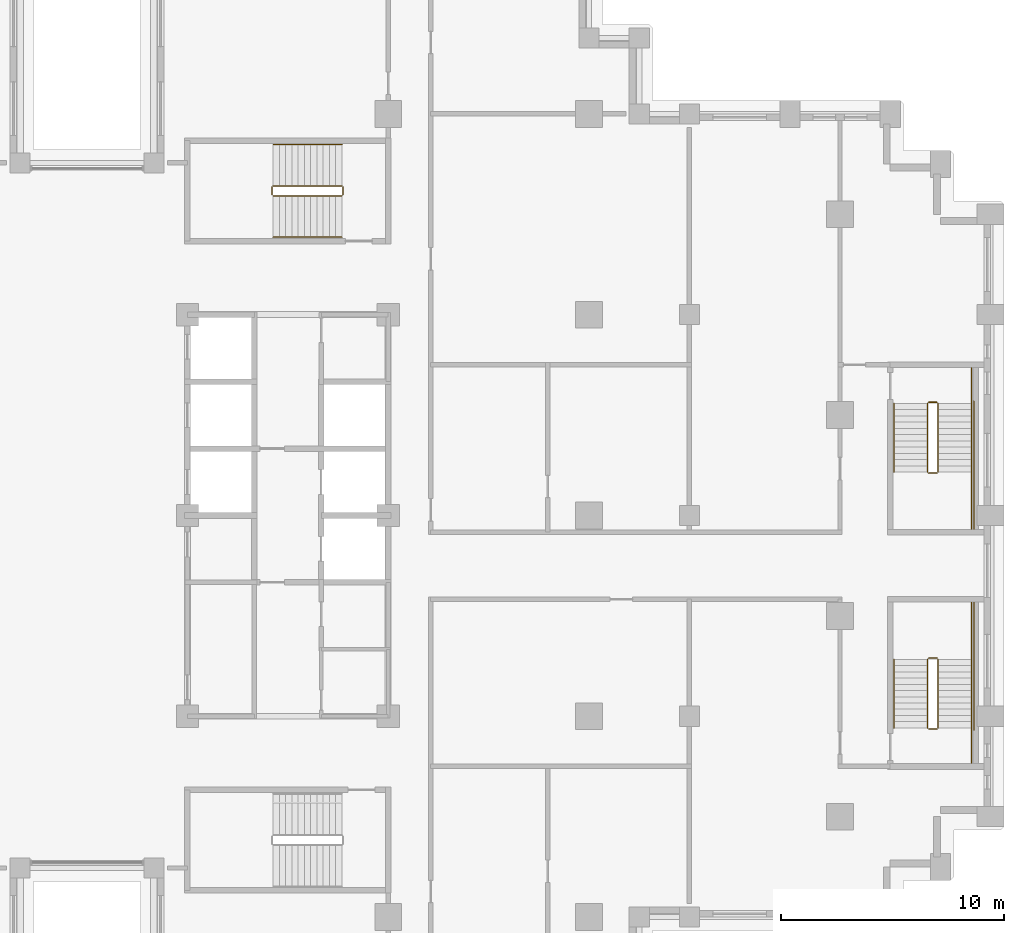
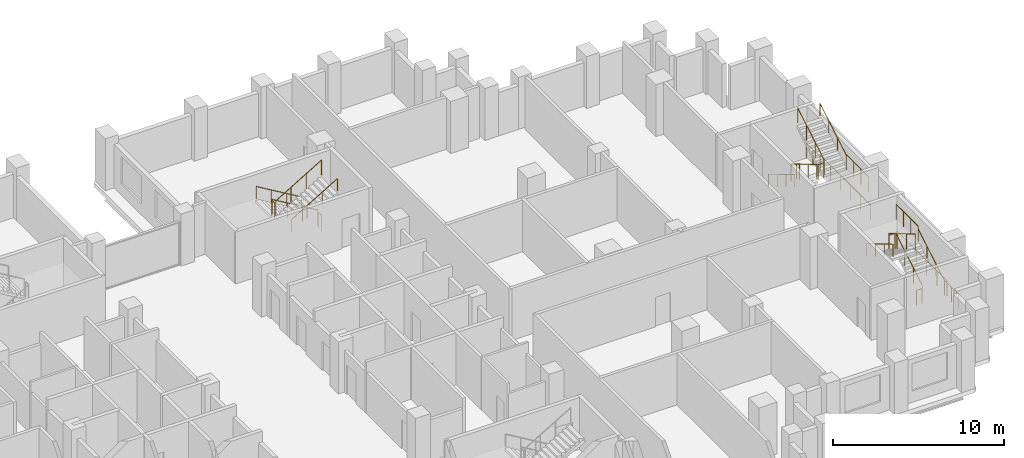
# One storey, part 16 of 16: 3 railings.
"""IFC4 building model written with IfcOpenShell, lengths in metres."""

from ifc_helpers import new_model, si_unit, direction, frame, origin, origin_2d, place, context, subcontext, project, spatial, circle, extrude, material, type_object, element, save


model = new_model("IFC4")

# Units and contexts
model_context = context("Model", 3, precision=1e-05, world=origin(), true_north=direction((0.0, 1.0)))
body_context = subcontext(model_context, "Body", "Model", "MODEL_VIEW")
ifc_project = project(units=[si_unit("LENGTHUNIT", "METRE"), si_unit("AREAUNIT", "SQUARE_METRE"), si_unit("VOLUMEUNIT", "CUBIC_METRE"), si_unit("PLANEANGLEUNIT", "RADIAN"), si_unit("MASSUNIT", "GRAM", prefix="KILO")], contexts=[model_context])

# Site, building, storey
site_placement = place(None, origin())
site = spatial("IfcSite", under=ifc_project, at=site_placement, CompositionType="ELEMENT")
building_placement = place(site_placement, origin())
building = spatial("IfcBuilding", under=site, at=building_placement, Name="Corbelhall Arena Tower", CompositionType="ELEMENT")
storey_placement = place(building_placement, frame((0.0, 0.0, 72.0)))
storey = spatial("IfcBuildingStorey", under=building, at=storey_placement, Name="L10", CompositionType="ELEMENT", Elevation=72.0)

# Railings
ifc_material = material(Name="Steel ASTM A500 Gr C", Category="steel")
railing_type = type_object("IfcRailingType", Name="IN-GD-1100", PredefinedType="GUARDRAIL", material=ifc_material)
railing_1_placement = place(storey_placement, frame((11.425048828125, 14.77490234375, 0.166748046875)))
element("IfcRailing", 1, at=railing_1_placement, inside=storey, type_object=railing_type, Name="L10 ST3 stair guards and handrails", PredefinedType="GUARDRAIL", context=body_context, shape_type="SweptSolid", body=[
    extrude(circle(Radius=0.02392578125, at=origin_2d()), frame((0.0, 0.0, 1.076171875), z_axis=(-0.859308565015, 0.0, 0.511457515432), x_axis=(0.0, -1.0, 0.0)), (0.0, 0.0, 1.0), 3.58447265625),
    extrude(circle(Radius=0.02392578125, at=origin_2d()), frame((-3.130126953125, -0.0498046875, 2.9091796875), z_axis=(0.0, -1.0, 0.0), x_axis=(1.0, 0.0, 0.0)), (0.0, 0.0, 1.0), 0.35009765625),
    extrude(circle(Radius=0.02392578125, at=origin_2d()), frame((-3.080078125, -0.449951171875, 3.076171875), z_axis=(0.859308565015, 0.0, 0.511457515432), x_axis=(0.0, 1.0, 0.0)), (0.0, 0.0, 1.0), 3.58447265625),
    extrude(circle(Radius=0.02392578125, at=origin_2d()), frame((0.050048828125, -0.0498046875, 0.9091796875), z_axis=(0.0, -1.0, 0.0), x_axis=(1.0, 0.0, 0.0)), (0.0, 0.0, 1.0), 0.35009765625),
    extrude(circle(Radius=0.02392578125, at=origin_2d()), frame((0.0, 1.85009765625, 0.8759765625), z_axis=(-0.859308565015, 0.0, 0.511457515432), x_axis=(0.0, -1.0, 0.0)), (0.0, 0.0, 1.0), 3.58447265625),
    extrude(circle(Radius=0.02392578125, at=origin_2d()), frame((-3.080078125, -2.2998046875, 2.8759765625), z_axis=(0.859308565015, 0.0, 0.511457515432), x_axis=(0.0, 1.0, 0.0)), (0.0, 0.0, 1.0), 3.58447265625),
    extrude(circle(Radius=0.02099609375, at=origin_2d()), origin(), (0.0, 0.0, 1.0), 1.052001953125),
    extrude(circle(Radius=0.02099609375, at=origin_2d()), frame((-1.026611328125, 0.0, 0.611083984375)), (0.0, 0.0, 1.0), 1.052001953125),
    extrude(circle(Radius=0.02099609375, at=origin_2d()), frame((-2.053466796875, 0.0, 1.22216796875)), (0.0, 0.0, 1.0), 1.052001953125),
    extrude(circle(Radius=0.02099609375, at=origin_2d()), frame((-3.080078125, 0.0, 1.833251953125)), (0.0, 0.0, 1.0), 1.052001953125),
    extrude(circle(Radius=0.02099609375, at=origin_2d()), frame((-3.130126953125, -0.0498046875, 1.833251953125)), (0.0, 0.0, 1.0), 1.052001953125),
    extrude(circle(Radius=0.02099609375, at=origin_2d()), frame((-3.130126953125, -0.39990234375, 1.833251953125)), (0.0, 0.0, 1.0), 1.052001953125),
    extrude(circle(Radius=0.02099609375, at=origin_2d()), frame((-3.080078125, -0.449951171875, 2.0)), (0.0, 0.0, 1.0), 1.052001953125),
    extrude(circle(Radius=0.02099609375, at=origin_2d()), frame((-2.053466796875, -0.449951171875, 2.611083984375)), (0.0, 0.0, 1.0), 1.052001953125),
    extrude(circle(Radius=0.02099609375, at=origin_2d()), frame((-1.026611328125, -0.449951171875, 3.22216796875)), (0.0, 0.0, 1.0), 1.052001953125),
    extrude(circle(Radius=0.02099609375, at=origin_2d()), frame((0.0, -0.449951171875, 3.833251953125)), (0.0, 0.0, 1.0), 1.052001953125),
    extrude(circle(Radius=0.02099609375, at=origin_2d()), frame((0.050048828125, -0.0498046875, -0.166748046875)), (0.0, 0.0, 1.0), 1.052001953125),
    extrude(circle(Radius=0.02099609375, at=origin_2d()), frame((0.050048828125, -0.39990234375, -0.166748046875)), (0.0, 0.0, 1.0), 1.052001953125),
    extrude(circle(Radius=0.02099609375, at=origin_2d()), frame((0.0, 1.85009765625, 0.0)), (0.0, 0.0, 1.0), 0.851806640625),
    extrude(circle(Radius=0.02099609375, at=origin_2d()), frame((-1.026611328125, 1.85009765625, 0.611083984375)), (0.0, 0.0, 1.0), 0.851806640625),
    extrude(circle(Radius=0.02099609375, at=origin_2d()), frame((-2.053466796875, 1.85009765625, 1.22216796875)), (0.0, 0.0, 1.0), 0.851806640625),
    extrude(circle(Radius=0.02099609375, at=origin_2d()), frame((-3.080078125, 1.85009765625, 1.833251953125)), (0.0, 0.0, 1.0), 0.851806640625),
    extrude(circle(Radius=0.02099609375, at=origin_2d()), frame((-3.080078125, -2.2998046875, 2.0)), (0.0, 0.0, 1.0), 0.851806640625),
    extrude(circle(Radius=0.02099609375, at=origin_2d()), frame((-2.053466796875, -2.2998046875, 2.611083984375)), (0.0, 0.0, 1.0), 0.851806640625),
    extrude(circle(Radius=0.02099609375, at=origin_2d()), frame((-1.026611328125, -2.2998046875, 3.22216796875)), (0.0, 0.0, 1.0), 0.851806640625),
    extrude(circle(Radius=0.02099609375, at=origin_2d()), frame((0.0, -2.2998046875, 3.833251953125)), (0.0, 0.0, 1.0), 0.851806640625),
])
railing_2_placement = place(storey_placement, frame((38.14990234375, -9.52490234375, 0.166748046875)))
element("IfcRailing", 2, at=railing_2_placement, inside=storey, type_object=railing_type, Name="L10 SD1 stair guards and handrails", PredefinedType="GUARDRAIL", context=body_context, shape_type="SweptSolid", body=[
    extrude(circle(Radius=0.02392578125, at=origin_2d()), frame((0.0, 0.0, 1.076171875), z_axis=(0.0, 0.859290745958, 0.51148745235), x_axis=(-1.0, 0.0, 0.0)), (0.0, 0.0, 1.0), 3.584228515625),
    extrude(circle(Radius=0.02392578125, at=origin_2d()), frame((-0.0498046875, 3.1298828125, 2.9091796875), z_axis=(-1.0, 0.0, 0.0), x_axis=(0.0, -1.0, 0.0)), (0.0, 0.0, 1.0), 0.375),
    extrude(circle(Radius=0.02392578125, at=origin_2d()), frame((1.5, 3.079833984375, 2.9091796875), z_axis=(0.0, 1.0, 0.0), x_axis=(-1.0, 0.0, 0.0)), (0.0, 0.0, 1.0), 2.570068359375),
    extrude(circle(Radius=0.02392578125, at=origin_2d()), frame((-0.474853515625, 3.079833984375, 3.076171875), z_axis=(0.0, -0.859290745958, 0.51148745235), x_axis=(1.0, 0.0, 0.0)), (0.0, 0.0, 1.0), 3.584228515625),
    extrude(circle(Radius=0.02392578125, at=origin_2d()), frame((-0.0498046875, -0.050048828125, 0.9091796875), z_axis=(-1.0, 0.0, 0.0), x_axis=(0.0, -1.0, 0.0)), (0.0, 0.0, 1.0), 0.375),
    extrude(circle(Radius=0.02392578125, at=origin_2d()), frame((1.5, -1.60009765625, 0.9091796875), z_axis=(0.0, 1.0, 0.0), x_axis=(-1.0, 0.0, 0.0)), (0.0, 0.0, 1.0), 1.60009765625),
    extrude(circle(Radius=0.02392578125, at=origin_2d()), frame((1.60009765625, -0.10009765625, 0.9091796875), z_axis=(0.0, 1.0, 0.0), x_axis=(-1.0, 0.0, 0.0)), (0.0, 0.0, 1.0), 5.85009765625),
    extrude(circle(Radius=0.02392578125, at=origin_2d()), frame((1.5, 0.0, 0.8759765625), z_axis=(0.0, 0.859290745958, 0.51148745235), x_axis=(-1.0, 0.0, 0.0)), (0.0, 0.0, 1.0), 3.584228515625),
    extrude(circle(Radius=0.02392578125, at=origin_2d()), frame((-1.974853515625, 3.079833984375, 2.8759765625), z_axis=(0.0, -0.859290745958, 0.51148745235), x_axis=(1.0, 0.0, 0.0)), (0.0, 0.0, 1.0), 3.584228515625),
    extrude(circle(Radius=0.02099609375, at=origin_2d()), origin(), (0.0, 0.0, 1.0), 1.052001953125),
    extrude(circle(Radius=0.02099609375, at=origin_2d()), frame((0.0, 1.026611328125, 0.611083984375)), (0.0, 0.0, 1.0), 1.052001953125),
    extrude(circle(Radius=0.02099609375, at=origin_2d()), frame((0.0, 2.05322265625, 1.22216796875)), (0.0, 0.0, 1.0), 1.052001953125),
    extrude(circle(Radius=0.02099609375, at=origin_2d()), frame((0.0, 3.079833984375, 1.833251953125)), (0.0, 0.0, 1.0), 1.052001953125),
    extrude(circle(Radius=0.02099609375, at=origin_2d()), frame((-0.0498046875, 3.1298828125, 1.833251953125)), (0.0, 0.0, 1.0), 1.052001953125),
    extrude(circle(Radius=0.02099609375, at=origin_2d()), frame((-0.4248046875, 3.1298828125, 1.833251953125)), (0.0, 0.0, 1.0), 1.052001953125),
    extrude(circle(Radius=0.02099609375, at=origin_2d()), frame((1.5, 3.079833984375, 1.833251953125)), (0.0, 0.0, 1.0), 1.052001953125),
    extrude(circle(Radius=0.02099609375, at=origin_2d()), frame((1.5, 3.9365234375, 1.833251953125)), (0.0, 0.0, 1.0), 1.052001953125),
    extrude(circle(Radius=0.02099609375, at=origin_2d()), frame((1.5, 4.793212890625, 1.833251953125)), (0.0, 0.0, 1.0), 1.052001953125),
    extrude(circle(Radius=0.02099609375, at=origin_2d()), frame((1.5, 5.64990234375, 1.833251953125)), (0.0, 0.0, 1.0), 1.052001953125),
    extrude(circle(Radius=0.02099609375, at=origin_2d()), frame((-0.474853515625, 3.079833984375, 2.0)), (0.0, 0.0, 1.0), 1.052001953125),
    extrude(circle(Radius=0.02099609375, at=origin_2d()), frame((-0.474853515625, 2.05322265625, 2.611083984375)), (0.0, 0.0, 1.0), 1.052001953125),
    extrude(circle(Radius=0.02099609375, at=origin_2d()), frame((-0.474853515625, 1.026611328125, 3.22216796875)), (0.0, 0.0, 1.0), 1.052001953125),
    extrude(circle(Radius=0.02099609375, at=origin_2d()), frame((-0.474853515625, 0.0, 3.833251953125)), (0.0, 0.0, 1.0), 1.052001953125),
    extrude(circle(Radius=0.02099609375, at=origin_2d()), frame((-0.0498046875, -0.050048828125, -0.166748046875)), (0.0, 0.0, 1.0), 1.052001953125),
    extrude(circle(Radius=0.02099609375, at=origin_2d()), frame((-0.4248046875, -0.050048828125, -0.166748046875)), (0.0, 0.0, 1.0), 1.052001953125),
    extrude(circle(Radius=0.02099609375, at=origin_2d()), frame((1.5, -1.60009765625, -0.166748046875)), (0.0, 0.0, 1.0), 1.052001953125),
    extrude(circle(Radius=0.02099609375, at=origin_2d()), frame((1.5, -0.800048828125, -0.166748046875)), (0.0, 0.0, 1.0), 1.052001953125),
    extrude(circle(Radius=0.02099609375, at=origin_2d()), frame((1.5, 0.0, -0.166748046875)), (0.0, 0.0, 1.0), 1.052001953125),
    extrude(circle(Radius=0.02099609375, at=origin_2d()), frame((1.60009765625, -0.10009765625, -0.166748046875)), (0.0, 0.0, 1.0), 1.052001953125),
    extrude(circle(Radius=0.02099609375, at=origin_2d()), frame((1.60009765625, 1.06982421875, -0.166748046875)), (0.0, 0.0, 1.0), 1.052001953125),
    extrude(circle(Radius=0.02099609375, at=origin_2d()), frame((1.60009765625, 2.239990234375, -0.166748046875)), (0.0, 0.0, 1.0), 1.052001953125),
    extrude(circle(Radius=0.02099609375, at=origin_2d()), frame((1.60009765625, 3.409912109375, -0.166748046875)), (0.0, 0.0, 1.0), 1.052001953125),
    extrude(circle(Radius=0.02099609375, at=origin_2d()), frame((1.60009765625, 4.580078125, -0.166748046875)), (0.0, 0.0, 1.0), 1.052001953125),
    extrude(circle(Radius=0.02099609375, at=origin_2d()), frame((1.60009765625, 5.75, -0.166748046875)), (0.0, 0.0, 1.0), 1.052001953125),
    extrude(circle(Radius=0.02099609375, at=origin_2d()), frame((1.5, 0.0, 0.0)), (0.0, 0.0, 1.0), 0.851806640625),
    extrude(circle(Radius=0.02099609375, at=origin_2d()), frame((1.5, 1.026611328125, 0.611083984375)), (0.0, 0.0, 1.0), 0.851806640625),
    extrude(circle(Radius=0.02099609375, at=origin_2d()), frame((1.5, 2.05322265625, 1.22216796875)), (0.0, 0.0, 1.0), 0.851806640625),
    extrude(circle(Radius=0.02099609375, at=origin_2d()), frame((-1.974853515625, 3.079833984375, 2.0)), (0.0, 0.0, 1.0), 0.851806640625),
    extrude(circle(Radius=0.02099609375, at=origin_2d()), frame((-1.974853515625, 2.05322265625, 2.611083984375)), (0.0, 0.0, 1.0), 0.851806640625),
    extrude(circle(Radius=0.02099609375, at=origin_2d()), frame((-1.974853515625, 1.026611328125, 3.22216796875)), (0.0, 0.0, 1.0), 0.851806640625),
    extrude(circle(Radius=0.02099609375, at=origin_2d()), frame((-1.974853515625, 0.0, 3.833251953125)), (0.0, 0.0, 1.0), 0.851806640625),
])
railing_3_placement = place(storey_placement, frame((37.675048828125, 5.02490234375, 0.166748046875)))
element("IfcRailing", 3, at=railing_3_placement, inside=storey, type_object=railing_type, Name="L10 SD2 stair guards and handrails", PredefinedType="GUARDRAIL", context=body_context, shape_type="SweptSolid", body=[
    extrude(circle(Radius=0.02392578125, at=origin_2d()), frame((0.0, 0.0, 1.076171875), z_axis=(0.0, -0.859290745958, 0.51148745235), x_axis=(1.0, 0.0, 0.0)), (0.0, 0.0, 1.0), 3.584228515625),
    extrude(circle(Radius=0.02392578125, at=origin_2d()), frame((0.050048828125, -3.1298828125, 2.9091796875), z_axis=(1.0, 0.0, 0.0), x_axis=(0.0, 1.0, 0.0)), (0.0, 0.0, 1.0), 0.375),
    extrude(circle(Radius=0.02392578125, at=origin_2d()), frame((1.974853515625, -3.079833984375, 2.9091796875), z_axis=(0.0, -1.0, 0.0), x_axis=(1.0, 0.0, 0.0)), (0.0, 0.0, 1.0), 2.570068359375),
    extrude(circle(Radius=0.02392578125, at=origin_2d()), frame((0.474853515625, -3.079833984375, 3.076171875), z_axis=(0.0, 0.859290745958, 0.51148745235), x_axis=(-1.0, 0.0, 0.0)), (0.0, 0.0, 1.0), 3.584228515625),
    extrude(circle(Radius=0.02392578125, at=origin_2d()), frame((0.050048828125, 0.050048828125, 0.9091796875), z_axis=(1.0, 0.0, 0.0), x_axis=(0.0, 1.0, 0.0)), (0.0, 0.0, 1.0), 0.375),
    extrude(circle(Radius=0.02392578125, at=origin_2d()), frame((1.974853515625, 1.60009765625, 0.9091796875), z_axis=(0.0, -1.0, 0.0), x_axis=(1.0, 0.0, 0.0)), (0.0, 0.0, 1.0), 1.60009765625),
    extrude(circle(Radius=0.02392578125, at=origin_2d()), frame((2.074951171875, 0.10009765625, 0.9091796875), z_axis=(0.0, -1.0, 0.0), x_axis=(1.0, 0.0, 0.0)), (0.0, 0.0, 1.0), 5.85009765625),
    extrude(circle(Radius=0.02392578125, at=origin_2d()), frame((-1.5, 0.0, 0.8759765625), z_axis=(0.0, -0.859290745958, 0.51148745235), x_axis=(1.0, 0.0, 0.0)), (0.0, 0.0, 1.0), 3.584228515625),
    extrude(circle(Radius=0.02392578125, at=origin_2d()), frame((1.974853515625, -3.079833984375, 2.8759765625), z_axis=(0.0, 0.859290745958, 0.51148745235), x_axis=(-1.0, 0.0, 0.0)), (0.0, 0.0, 1.0), 3.584228515625),
    extrude(circle(Radius=0.02099609375, at=origin_2d()), origin(), (0.0, 0.0, 1.0), 1.052001953125),
    extrude(circle(Radius=0.02099609375, at=origin_2d()), frame((0.0, -1.026611328125, 0.611083984375)), (0.0, 0.0, 1.0), 1.052001953125),
    extrude(circle(Radius=0.02099609375, at=origin_2d()), frame((0.0, -2.05322265625, 1.22216796875)), (0.0, 0.0, 1.0), 1.052001953125),
    extrude(circle(Radius=0.02099609375, at=origin_2d()), frame((0.0, -3.079833984375, 1.833251953125)), (0.0, 0.0, 1.0), 1.052001953125),
    extrude(circle(Radius=0.02099609375, at=origin_2d()), frame((0.050048828125, -3.1298828125, 1.833251953125)), (0.0, 0.0, 1.0), 1.052001953125),
    extrude(circle(Radius=0.02099609375, at=origin_2d()), frame((0.425048828125, -3.1298828125, 1.833251953125)), (0.0, 0.0, 1.0), 1.052001953125),
    extrude(circle(Radius=0.02099609375, at=origin_2d()), frame((1.974853515625, -3.079833984375, 1.833251953125)), (0.0, 0.0, 1.0), 1.052001953125),
    extrude(circle(Radius=0.02099609375, at=origin_2d()), frame((1.974853515625, -3.9365234375, 1.833251953125)), (0.0, 0.0, 1.0), 1.052001953125),
    extrude(circle(Radius=0.02099609375, at=origin_2d()), frame((1.974853515625, -4.793212890625, 1.833251953125)), (0.0, 0.0, 1.0), 1.052001953125),
    extrude(circle(Radius=0.02099609375, at=origin_2d()), frame((1.974853515625, -5.64990234375, 1.833251953125)), (0.0, 0.0, 1.0), 1.052001953125),
    extrude(circle(Radius=0.02099609375, at=origin_2d()), frame((0.474853515625, -3.079833984375, 2.0)), (0.0, 0.0, 1.0), 1.052001953125),
    extrude(circle(Radius=0.02099609375, at=origin_2d()), frame((0.474853515625, -2.05322265625, 2.611083984375)), (0.0, 0.0, 1.0), 1.052001953125),
    extrude(circle(Radius=0.02099609375, at=origin_2d()), frame((0.474853515625, -1.026611328125, 3.22216796875)), (0.0, 0.0, 1.0), 1.052001953125),
    extrude(circle(Radius=0.02099609375, at=origin_2d()), frame((0.474853515625, 0.0, 3.833251953125)), (0.0, 0.0, 1.0), 1.052001953125),
    extrude(circle(Radius=0.02099609375, at=origin_2d()), frame((0.050048828125, 0.050048828125, -0.166748046875)), (0.0, 0.0, 1.0), 1.052001953125),
    extrude(circle(Radius=0.02099609375, at=origin_2d()), frame((0.425048828125, 0.050048828125, -0.166748046875)), (0.0, 0.0, 1.0), 1.052001953125),
    extrude(circle(Radius=0.02099609375, at=origin_2d()), frame((1.974853515625, 1.60009765625, -0.166748046875)), (0.0, 0.0, 1.0), 1.052001953125),
    extrude(circle(Radius=0.02099609375, at=origin_2d()), frame((1.974853515625, 0.800048828125, -0.166748046875)), (0.0, 0.0, 1.0), 1.052001953125),
    extrude(circle(Radius=0.02099609375, at=origin_2d()), frame((1.974853515625, 0.0, -0.166748046875)), (0.0, 0.0, 1.0), 1.052001953125),
    extrude(circle(Radius=0.02099609375, at=origin_2d()), frame((2.074951171875, 0.10009765625, -0.166748046875)), (0.0, 0.0, 1.0), 1.052001953125),
    extrude(circle(Radius=0.02099609375, at=origin_2d()), frame((2.074951171875, -1.06982421875, -0.166748046875)), (0.0, 0.0, 1.0), 1.052001953125),
    extrude(circle(Radius=0.02099609375, at=origin_2d()), frame((2.074951171875, -2.239990234375, -0.166748046875)), (0.0, 0.0, 1.0), 1.052001953125),
    extrude(circle(Radius=0.02099609375, at=origin_2d()), frame((2.074951171875, -3.409912109375, -0.166748046875)), (0.0, 0.0, 1.0), 1.052001953125),
    extrude(circle(Radius=0.02099609375, at=origin_2d()), frame((2.074951171875, -4.580078125, -0.166748046875)), (0.0, 0.0, 1.0), 1.052001953125),
    extrude(circle(Radius=0.02099609375, at=origin_2d()), frame((2.074951171875, -5.75, -0.166748046875)), (0.0, 0.0, 1.0), 1.052001953125),
    extrude(circle(Radius=0.02099609375, at=origin_2d()), frame((-1.5, 0.0, 0.0)), (0.0, 0.0, 1.0), 0.851806640625),
    extrude(circle(Radius=0.02099609375, at=origin_2d()), frame((-1.5, -1.026611328125, 0.611083984375)), (0.0, 0.0, 1.0), 0.851806640625),
    extrude(circle(Radius=0.02099609375, at=origin_2d()), frame((-1.5, -2.05322265625, 1.22216796875)), (0.0, 0.0, 1.0), 0.851806640625),
    extrude(circle(Radius=0.02099609375, at=origin_2d()), frame((-1.5, -3.079833984375, 1.833251953125)), (0.0, 0.0, 1.0), 0.851806640625),
    extrude(circle(Radius=0.02099609375, at=origin_2d()), frame((1.974853515625, -3.079833984375, 2.0)), (0.0, 0.0, 1.0), 0.851806640625),
    extrude(circle(Radius=0.02099609375, at=origin_2d()), frame((1.974853515625, -2.05322265625, 2.611083984375)), (0.0, 0.0, 1.0), 0.851806640625),
    extrude(circle(Radius=0.02099609375, at=origin_2d()), frame((1.974853515625, -1.026611328125, 3.22216796875)), (0.0, 0.0, 1.0), 0.851806640625),
    extrude(circle(Radius=0.02099609375, at=origin_2d()), frame((1.974853515625, 0.0, 3.833251953125)), (0.0, 0.0, 1.0), 0.851806640625),
])

save(model, "model.ifc")
